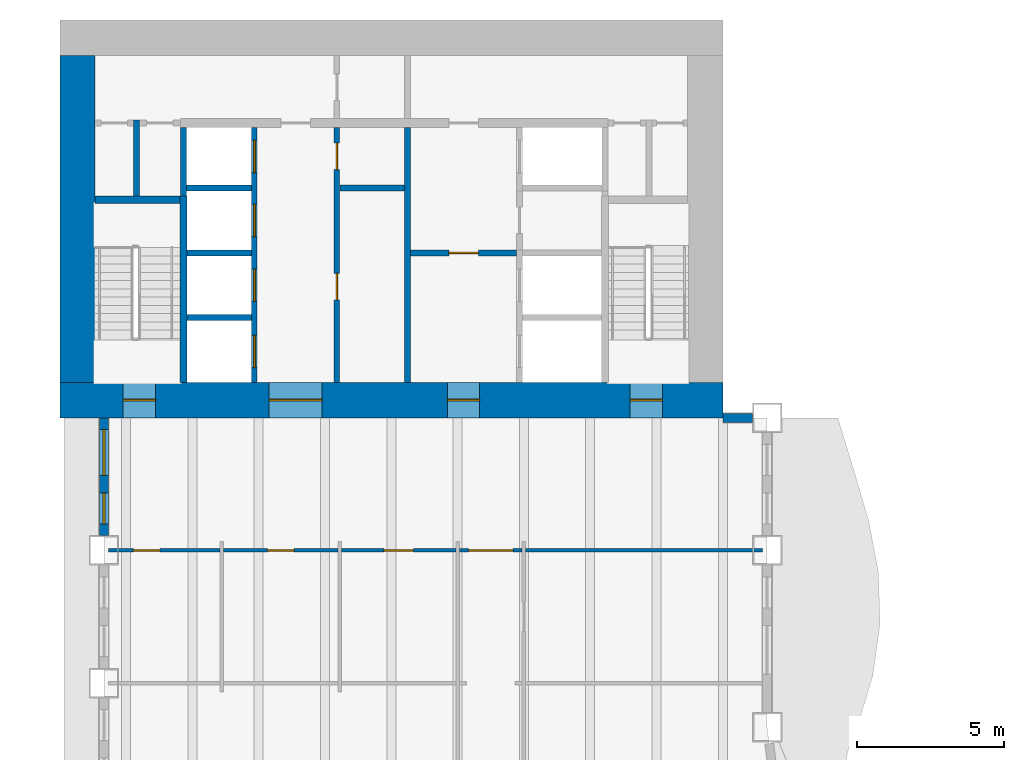
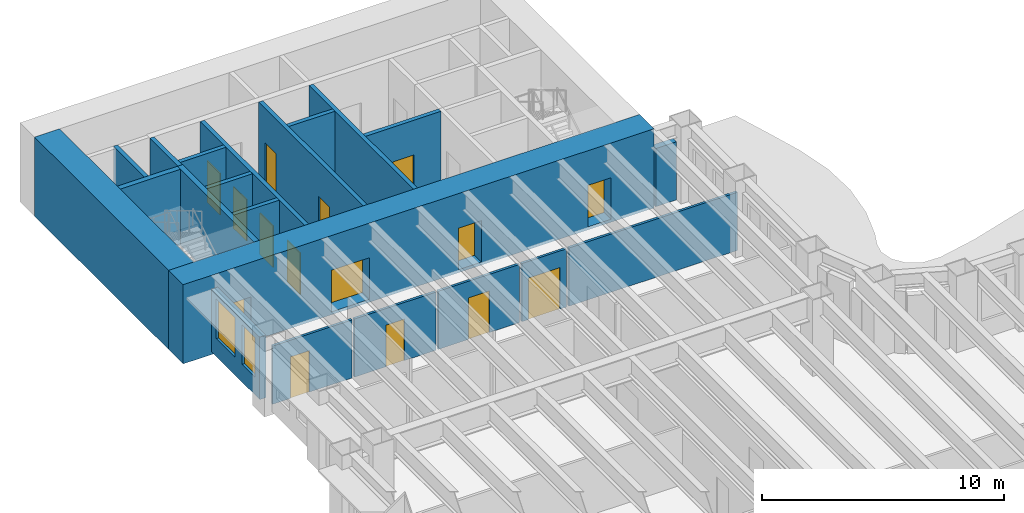
# One storey, part 8 of 16: 21 walls, 15 doors, 2 windows, 17 openings.
"""IFC4 building model written with IfcOpenShell, lengths in metres."""

from ifc_helpers import new_model, si_unit, direction, frame, frame_2d, origin, place, context, subcontext, project, spatial, rectangle, extrude, material, layer, layer_set, type_object, element, fill, save


model = new_model("IFC4")

# Units and contexts
model_context = context("Model", 3, precision=1e-05, world=origin(), true_north=direction((0.0, 1.0)))
body_context = subcontext(model_context, "Body", "Model", "MODEL_VIEW")
ifc_project = project(units=[si_unit("LENGTHUNIT", "METRE"), si_unit("AREAUNIT", "SQUARE_METRE"), si_unit("VOLUMEUNIT", "CUBIC_METRE"), si_unit("PLANEANGLEUNIT", "RADIAN"), si_unit("MASSUNIT", "GRAM", prefix="KILO")], contexts=[model_context])

# Site, building, storey
site_placement = place(None, origin())
site = spatial("IfcSite", under=ifc_project, at=site_placement, CompositionType="ELEMENT")
building_placement = place(site_placement, origin())
building = spatial("IfcBuilding", under=site, at=building_placement, Name="Sennacour Bend Tower", CompositionType="ELEMENT")
storey_placement = place(building_placement, frame((0.0, 0.0, 119.0)))
storey = spatial("IfcBuildingStorey", under=building, at=storey_placement, Name="L27", CompositionType="ELEMENT", Elevation=119.0)

# Wall, openings, doors
ifc_material_1 = material(Name="Concrete C80/95", Category="concrete")
ifc_layer_1 = layer(ifc_material_1, 1.199951171875, Name="Concrete C80/95", Category="concrete")
ifc_layer_set_1 = layer_set([ifc_layer_1], Name="Concrete C80/95")
wall_type_1 = type_object("IfcWallType", Name="Core wall 1200 C80/95", PredefinedType="SHEAR", material=ifc_layer_set_1)
wall_1_placement = place(storey_placement, frame((0.0, 36.60009765625, -0.14990234375), z_axis=(0.0, 0.0, 1.0), x_axis=(1.0, 0.0, 0.0)))
wall_1 = element("IfcWall", 1, at=wall_1_placement, inside=storey, type_object=wall_type_1, Name="Core B wall L27 S", PredefinedType="SHEAR", context=body_context, shape_type="SweptSolid", body=[
    extrude(rectangle(XDim=22.5, YDim=1.199951171875, at=frame_2d((11.25, 0.0))), origin(), (0.0, 0.0, 1.0), 4.0),
])
opening_1_placement = place(wall_1_placement, frame((7.10009765625, 0.0, 0.14990234375)))
opening_1 = element("IfcOpeningElement", 2, at=opening_1_placement, cuts=wall_1, Name="Opening CD", PredefinedType="OPENING", context=body_context, shape_type="SweptSolid", body=[
    extrude(rectangle(XDim=1.800048828125, YDim=2.10009765625, at=frame_2d((0.89990234375, 1.050048828125))), frame((0.0, 0.60986328125, 0.0), z_axis=(0.0, -1.0, 0.0), x_axis=(1.0, 0.0, 0.0)), (0.0, 0.0, 1.0), 1.219970703125),
])
opening_2_placement = place(wall_1_placement, frame((13.14990234375, 0.0, 0.14990234375)))
opening_2 = element("IfcOpeningElement", 3, at=opening_2_placement, cuts=wall_1, Name="Opening FD", PredefinedType="OPENING", context=body_context, shape_type="SweptSolid", body=[
    extrude(rectangle(XDim=1.10009765625, YDim=2.10009765625, at=frame_2d((0.550048828125, 1.050048828125))), frame((0.0, 0.60986328125, 0.0), z_axis=(0.0, -1.0, 0.0), x_axis=(1.0, 0.0, 0.0)), (0.0, 0.0, 1.0), 1.219970703125),
])
opening_3_placement = place(wall_1_placement, frame((2.14990234375, 0.0, 0.14990234375)))
opening_3 = element("IfcOpeningElement", 4, at=opening_3_placement, cuts=wall_1, Name="Opening SD", PredefinedType="OPENING", context=body_context, shape_type="SweptSolid", body=[
    extrude(rectangle(XDim=1.10009765625, YDim=2.10009765625, at=frame_2d((0.550048828125, 1.050048828125))), frame((0.0, 0.60986328125, 0.0), z_axis=(0.0, -1.0, 0.0), x_axis=(1.0, 0.0, 0.0)), (0.0, 0.0, 1.0), 1.219970703125),
])
opening_4_placement = place(wall_1_placement, frame((19.35009765625, 0.0, 0.14990234375)))
opening_4 = element("IfcOpeningElement", 5, at=opening_4_placement, cuts=wall_1, Name="Opening SD", PredefinedType="OPENING", context=body_context, shape_type="SweptSolid", body=[
    extrude(rectangle(XDim=1.10009765625, YDim=2.10009765625, at=frame_2d((0.550048828125, 1.050048828125))), frame((0.0, 0.60986328125, 0.0), z_axis=(0.0, -1.0, 0.0), x_axis=(1.0, 0.0, 0.0)), (0.0, 0.0, 1.0), 1.219970703125),
])
ifc_material_2 = material(Name="Painted steel", Category="steel")
door_type_1 = type_object("IfcDoorType", Name="DR-FFL-1100", OperationType="NOTDEFINED", PredefinedType="DOOR", material=ifc_material_2)
door_1_placement = place(opening_2_placement, origin())
door_1 = element("IfcDoor", 6, at=door_1_placement, inside=storey, type_object=door_type_1, Name="Door", OperationType="SINGLE_SWING_RIGHT", OverallHeight=2.10009765625, OverallWidth=1.10009765625, PredefinedType="DOOR", context=body_context, shape_type="SweptSolid", body=[
    extrude(rectangle(XDim=1.10009765625, YDim=2.10009765625, at=frame_2d((0.550048828125, 1.050048828125))), frame((0.0, 0.02490234375, 0.0), z_axis=(0.0, -1.0, 0.0), x_axis=(1.0, 0.0, 0.0)), (0.0, 0.0, 1.0), 0.050048828125),
])
fill(opening_2, door_1)
door_type_2 = type_object("IfcDoorType", Name="DR-LOBBY-1800", OperationType="NOTDEFINED", PredefinedType="DOOR", material=ifc_material_2)
door_2_placement = place(opening_1_placement, origin())
door_2 = element("IfcDoor", 7, at=door_2_placement, inside=storey, type_object=door_type_2, Name="Door", OperationType="DOUBLE_DOOR_SINGLE_SWING", OverallHeight=2.10009765625, OverallWidth=1.800048828125, PredefinedType="DOOR", context=body_context, shape_type="SweptSolid", body=[
    extrude(rectangle(XDim=1.800048828125, YDim=2.10009765625, at=frame_2d((0.89990234375, 1.050048828125))), frame((0.0, 0.02490234375, 0.0), z_axis=(0.0, -1.0, 0.0), x_axis=(1.0, 0.0, 0.0)), (0.0, 0.0, 1.0), 0.050048828125),
])
fill(opening_1, door_2)
door_type_3 = type_object("IfcDoorType", Name="DR-STAIR-1100", OperationType="NOTDEFINED", PredefinedType="DOOR", material=ifc_material_2)
door_3_placement = place(opening_3_placement, origin())
door_3 = element("IfcDoor", 8, at=door_3_placement, inside=storey, type_object=door_type_3, Name="Door", OperationType="SINGLE_SWING_LEFT", OverallHeight=2.10009765625, OverallWidth=1.10009765625, PredefinedType="DOOR", context=body_context, shape_type="SweptSolid", body=[
    extrude(rectangle(XDim=1.10009765625, YDim=2.10009765625, at=frame_2d((0.550048828125, 1.050048828125))), frame((0.0, 0.02490234375, 0.0), z_axis=(0.0, -1.0, 0.0), x_axis=(1.0, 0.0, 0.0)), (0.0, 0.0, 1.0), 0.050048828125),
])
fill(opening_3, door_3)
door_4_placement = place(opening_4_placement, origin())
door_4 = element("IfcDoor", 9, at=door_4_placement, inside=storey, type_object=door_type_3, Name="Door", OperationType="SINGLE_SWING_RIGHT", OverallHeight=2.10009765625, OverallWidth=1.10009765625, PredefinedType="DOOR", context=body_context, shape_type="SweptSolid", body=[
    extrude(rectangle(XDim=1.10009765625, YDim=2.10009765625, at=frame_2d((0.550048828125, 1.050048828125))), frame((0.0, 0.02490234375, 0.0), z_axis=(0.0, -1.0, 0.0), x_axis=(1.0, 0.0, 0.0)), (0.0, 0.0, 1.0), 0.050048828125),
])
fill(opening_4, door_4)

# Wall
wall_2_placement = place(storey_placement, frame((0.60009765625, 37.199951171875, -0.14990234375), z_axis=(0.0, 0.0, 1.0), x_axis=(0.0, 1.0, 0.0)))
element("IfcWall", 10, at=wall_2_placement, inside=storey, type_object=wall_type_1, Name="Core B wall L27 W", PredefinedType="SHEAR", context=body_context, shape_type="SweptSolid", body=[
    extrude(rectangle(XDim=11.10009765625, YDim=1.199951171875, at=frame_2d((5.550048828125, 0.0))), origin(), (0.0, 0.0, 1.0), 4.0),
])

# Wall, opening, door
ifc_material_3 = material(Name="Plasterboard partition on steel studs", Category="steel")
ifc_layer_2 = layer(ifc_material_3, 0.1201171875, Name="Plasterboard partition on steel studs", Category="steel")
ifc_layer_set_2 = layer_set([ifc_layer_2], Name="Plasterboard partition on steel studs")
wall_type_2 = type_object("IfcWallType", Name="Partition 120", PredefinedType="PARTITIONING", material=ifc_layer_set_2)
wall_3_placement = place(storey_placement, frame((1.64990234375, 31.5, 0.0), z_axis=(0.0, 0.0, 1.0), x_axis=(1.0, 0.0, 0.0)))
wall_3 = element("IfcWall", 11, at=wall_3_placement, inside=storey, type_object=wall_type_2, Name="P-L27-W075aa", PredefinedType="PARTITIONING", context=body_context, shape_type="SweptSolid", body=[
    extrude(rectangle(XDim=3.7900390625, YDim=0.1201171875, at=frame_2d((1.89501953125, 0.0))), origin(), (0.0, 0.0, 1.0), 2.93798828125),
])
opening_5_placement = place(wall_3_placement, frame((0.85009765625, 0.0, 0.0)))
opening_5 = element("IfcOpeningElement", 12, at=opening_5_placement, cuts=wall_3, Name="Opening WD", PredefinedType="OPENING", context=body_context, shape_type="SweptSolid", body=[
    extrude(rectangle(XDim=0.89990234375, YDim=2.10009765625, at=frame_2d((0.449951171875, 1.050048828125))), frame((0.0, 0.070068359375, 0.0), z_axis=(0.0, -1.0, 0.0), x_axis=(1.0, 0.0, 0.0)), (0.0, 0.0, 1.0), 0.14013671875),
])
ifc_material_4 = material(Name="Timber", Category="wood")
door_type_4 = type_object("IfcDoorType", Name="DR-WC-900", OperationType="NOTDEFINED", PredefinedType="DOOR", material=ifc_material_4)
door_5_placement = place(opening_5_placement, origin())
door_5 = element("IfcDoor", 13, at=door_5_placement, inside=storey, type_object=door_type_4, Name="Door", OperationType="SINGLE_SWING_LEFT", OverallHeight=2.10009765625, OverallWidth=0.89990234375, PredefinedType="DOOR", context=body_context, shape_type="SweptSolid", body=[
    extrude(rectangle(XDim=0.89990234375, YDim=2.10009765625, at=frame_2d((0.449951171875, 1.050048828125))), frame((0.0, 0.02490234375, 0.0), z_axis=(0.0, -1.0, 0.0), x_axis=(1.0, 0.0, 0.0)), (0.0, 0.0, 1.0), 0.050048828125),
])
fill(opening_5, door_5)

wall_4_placement = place(storey_placement, frame((5.56005859375, 31.5, 0.0), z_axis=(0.0, 0.0, 1.0), x_axis=(1.0, 0.0, 0.0)))
wall_4 = element("IfcWall", 14, at=wall_4_placement, inside=storey, type_object=wall_type_2, Name="P-L27-W075ab", PredefinedType="PARTITIONING", context=body_context, shape_type="SweptSolid", body=[
    extrude(rectangle(XDim=3.8798828125, YDim=0.1201171875, at=frame_2d((1.93994140625, 0.0))), origin(), (0.0, 0.0, 1.0), 2.93798828125),
])
opening_6_placement = place(wall_4_placement, frame((1.489990234375, 0.0, 0.0)))
opening_6 = element("IfcOpeningElement", 15, at=opening_6_placement, cuts=wall_4, Name="Opening WD", PredefinedType="OPENING", context=body_context, shape_type="SweptSolid", body=[
    extrude(rectangle(XDim=0.89990234375, YDim=2.10009765625, at=frame_2d((0.449951171875, 1.050048828125))), frame((0.0, 0.070068359375, 0.0), z_axis=(0.0, -1.0, 0.0), x_axis=(1.0, 0.0, 0.0)), (0.0, 0.0, 1.0), 0.14013671875),
])
door_6_placement = place(opening_6_placement, origin())
door_6 = element("IfcDoor", 16, at=door_6_placement, inside=storey, type_object=door_type_4, Name="Door", OperationType="SINGLE_SWING_LEFT", OverallHeight=2.10009765625, OverallWidth=0.89990234375, PredefinedType="DOOR", context=body_context, shape_type="SweptSolid", body=[
    extrude(rectangle(XDim=0.89990234375, YDim=2.10009765625, at=frame_2d((0.449951171875, 1.050048828125))), frame((0.0, 0.02490234375, 0.0), z_axis=(0.0, -1.0, 0.0), x_axis=(1.0, 0.0, 0.0)), (0.0, 0.0, 1.0), 0.050048828125),
])
fill(opening_6, door_6)

wall_5_placement = place(storey_placement, frame((9.56005859375, 31.5, 0.0), z_axis=(0.0, 0.0, 1.0), x_axis=(1.0, 0.0, 0.0)))
wall_5 = element("IfcWall", 17, at=wall_5_placement, inside=storey, type_object=wall_type_2, Name="P-L27-W075ac", PredefinedType="PARTITIONING", context=body_context, shape_type="SweptSolid", body=[
    extrude(rectangle(XDim=3.8798828125, YDim=0.1201171875, at=frame_2d((1.93994140625, 0.0))), origin(), (0.0, 0.0, 1.0), 2.93798828125),
])
opening_7_placement = place(wall_5_placement, frame((1.43994140625, 0.0, 0.0)))
opening_7 = element("IfcOpeningElement", 18, at=opening_7_placement, cuts=wall_5, Name="Opening AD", PredefinedType="OPENING", context=body_context, shape_type="SweptSolid", body=[
    extrude(rectangle(XDim=1.0, YDim=2.10009765625, at=frame_2d((0.5, 1.050048828125))), frame((0.0, 0.070068359375, 0.0), z_axis=(0.0, -1.0, 0.0), x_axis=(1.0, 0.0, 0.0)), (0.0, 0.0, 1.0), 0.14013671875),
])
door_type_5 = type_object("IfcDoorType", Name="DR-ACC-WC-1000", OperationType="NOTDEFINED", PredefinedType="DOOR", material=ifc_material_4)
door_7_placement = place(opening_7_placement, origin())
door_7 = element("IfcDoor", 19, at=door_7_placement, inside=storey, type_object=door_type_5, Name="Door", OperationType="SINGLE_SWING_LEFT", OverallHeight=2.10009765625, OverallWidth=1.0, PredefinedType="DOOR", context=body_context, shape_type="SweptSolid", body=[
    extrude(rectangle(XDim=1.0, YDim=2.10009765625, at=frame_2d((0.5, 1.050048828125))), frame((0.0, 0.02490234375, 0.0), z_axis=(0.0, -1.0, 0.0), x_axis=(1.0, 0.0, 0.0)), (0.0, 0.0, 1.0), 0.050048828125),
])
fill(opening_7, door_7)

# Wall
wall_6_placement = place(storey_placement, frame((15.81005859375, 31.5, 0.0), z_axis=(0.0, 0.0, 1.0), x_axis=(1.0, 0.0, 0.0)))
element("IfcWall", 20, at=wall_6_placement, inside=storey, type_object=wall_type_2, Name="P-L27-W075ae", PredefinedType="PARTITIONING", context=body_context, shape_type="SweptSolid", body=[
    extrude(rectangle(XDim=8.0400390625, YDim=0.1201171875, at=frame_2d((4.02001953125, 0.0))), origin(), (0.0, 0.0, 1.0), 2.93798828125),
])

# Wall, opening, door
ifc_layer_3 = layer(ifc_material_3, 0.1201171875, Name="Plasterboard partition on steel studs", Category="steel")
ifc_layer_set_3 = layer_set([ifc_layer_3], Name="Plasterboard partition on steel studs")
wall_type_3 = type_object("IfcWallType", Name="Partition 120 EI 30", PredefinedType="PARTITIONING", material=ifc_layer_set_3)
wall_7_placement = place(storey_placement, frame((13.56005859375, 31.5, 0.0), z_axis=(0.0, 0.0, 1.0), x_axis=(1.0, 0.0, 0.0)))
wall_7 = element("IfcWall", 21, at=wall_7_placement, inside=storey, type_object=wall_type_3, Name="P-L27-W075ad", PredefinedType="PARTITIONING", context=body_context, shape_type="SweptSolid", body=[
    extrude(rectangle(XDim=2.1298828125, YDim=0.1201171875, at=frame_2d((1.06494140625, 0.0))), origin(), (0.0, 0.0, 1.0), 2.93798828125),
])
opening_8_placement = place(wall_7_placement, frame((0.31494140625, 0.0, 0.0)))
opening_8 = element("IfcOpeningElement", 22, at=opening_8_placement, cuts=wall_7, Name="Opening KD", PredefinedType="OPENING", context=body_context, shape_type="SweptSolid", body=[
    extrude(rectangle(XDim=1.5, YDim=2.10009765625, at=frame_2d((0.75, 1.050048828125))), frame((0.0, 0.070068359375, 0.0), z_axis=(0.0, -1.0, 0.0), x_axis=(1.0, 0.0, 0.0)), (0.0, 0.0, 1.0), 0.14013671875),
])
door_type_6 = type_object("IfcDoorType", Name="DR-CORRIDOR-1500", OperationType="NOTDEFINED", PredefinedType="DOOR", material=ifc_material_2)
door_8_placement = place(opening_8_placement, origin())
door_8 = element("IfcDoor", 23, at=door_8_placement, inside=storey, type_object=door_type_6, Name="Door", OperationType="SINGLE_SWING_LEFT", OverallHeight=2.10009765625, OverallWidth=1.5, PredefinedType="DOOR", context=body_context, shape_type="SweptSolid", body=[
    extrude(rectangle(XDim=1.5, YDim=2.10009765625, at=frame_2d((0.75, 1.050048828125))), frame((0.0, 0.02490234375, 0.0), z_axis=(0.0, -1.0, 0.0), x_axis=(1.0, 0.0, 0.0)), (0.0, 0.0, 1.0), 0.050048828125),
])
fill(opening_8, door_8)

# Wall
ifc_material_5 = material(Name="Fire-rated plasterboard partition on steel studs", Category="steel")
ifc_layer_4 = layer(ifc_material_5, 0.199951171875, Name="Fire-rated plasterboard partition on steel studs", Category="steel")
ifc_layer_set_4 = layer_set([ifc_layer_4], Name="Fire-rated plasterboard partition on steel studs")
wall_type_4 = type_object("IfcWallType", Name="Rated partition 200", PredefinedType="PARTITIONING", material=ifc_layer_set_4)
wall_8_placement = place(storey_placement, frame((2.60009765625, 43.52490234375, 0.0), z_axis=(0.0, 0.0, 1.0), x_axis=(0.0, 1.0, 0.0)))
element("IfcWall", 24, at=wall_8_placement, inside=storey, type_object=wall_type_4, Name="P-L27-W004", PredefinedType="PARTITIONING", context=body_context, shape_type="SweptSolid", body=[
    extrude(rectangle(XDim=2.5751953125, YDim=0.199951171875, at=frame_2d((1.28759765625, 0.0))), origin(), (0.0, 0.0, 1.0), 3.85009765625),
])

# Wall, openings, doors
wall_9_placement = place(storey_placement, frame((9.39990234375, 37.199951171875, 0.0), z_axis=(0.0, 0.0, 1.0), x_axis=(0.0, 1.0, 0.0)))
wall_9 = element("IfcWall", 25, at=wall_9_placement, inside=storey, type_object=wall_type_4, Name="P-L27-W012a", PredefinedType="PARTITIONING", context=body_context, shape_type="SweptSolid", body=[
    extrude(rectangle(XDim=8.650146484375, YDim=0.199951171875, at=frame_2d((4.3251953125, 0.0))), origin(), (0.0, 0.0, 1.0), 3.85009765625),
])
opening_9_placement = place(wall_9_placement, frame((2.800048828125, 0.0, 0.0)))
opening_9 = element("IfcOpeningElement", 26, at=opening_9_placement, cuts=wall_9, Name="Opening SV", PredefinedType="OPENING", context=body_context, shape_type="SweptSolid", body=[
    extrude(rectangle(XDim=0.89990234375, YDim=2.10009765625, at=frame_2d((0.449951171875, 1.050048828125))), frame((0.0, 0.10986328125, 0.0), z_axis=(0.0, -1.0, 0.0), x_axis=(1.0, 0.0, 0.0)), (0.0, 0.0, 1.0), 0.219970703125),
])
opening_10_placement = place(wall_9_placement, frame((7.22509765625, 0.0, 0.0)))
opening_10 = element("IfcOpeningElement", 27, at=opening_10_placement, cuts=wall_9, Name="Opening SV", PredefinedType="OPENING", context=body_context, shape_type="SweptSolid", body=[
    extrude(rectangle(XDim=0.89990234375, YDim=2.10009765625, at=frame_2d((0.449951171875, 1.050048828125))), frame((0.0, 0.10986328125, 0.0), z_axis=(0.0, -1.0, 0.0), x_axis=(1.0, 0.0, 0.0)), (0.0, 0.0, 1.0), 0.219970703125),
])
door_type_7 = type_object("IfcDoorType", Name="DR-SERVICE-900", OperationType="NOTDEFINED", PredefinedType="DOOR", material=ifc_material_2)
door_9_placement = place(opening_9_placement, origin())
door_9 = element("IfcDoor", 28, at=door_9_placement, inside=storey, type_object=door_type_7, Name="Door", OperationType="SINGLE_SWING_LEFT", OverallHeight=2.10009765625, OverallWidth=0.89990234375, PredefinedType="DOOR", context=body_context, shape_type="SweptSolid", body=[
    extrude(rectangle(XDim=0.89990234375, YDim=2.10009765625, at=frame_2d((0.449951171875, 1.050048828125))), frame((0.0, 0.02490234375, 0.0), z_axis=(0.0, -1.0, 0.0), x_axis=(1.0, 0.0, 0.0)), (0.0, 0.0, 1.0), 0.050048828125),
])
fill(opening_9, door_9)
door_10_placement = place(opening_10_placement, origin())
door_10 = element("IfcDoor", 29, at=door_10_placement, inside=storey, type_object=door_type_7, Name="Door", OperationType="SINGLE_SWING_RIGHT", OverallHeight=2.10009765625, OverallWidth=0.89990234375, PredefinedType="DOOR", context=body_context, shape_type="SweptSolid", body=[
    extrude(rectangle(XDim=0.89990234375, YDim=2.10009765625, at=frame_2d((0.449951171875, 1.050048828125))), frame((0.0, 0.02490234375, 0.0), z_axis=(0.0, -1.0, 0.0), x_axis=(1.0, 0.0, 0.0)), (0.0, 0.0, 1.0), 0.050048828125),
])
fill(opening_10, door_10)

# Walls
wall_10_placement = place(storey_placement, frame((11.800048828125, 37.199951171875, 0.0), z_axis=(0.0, 0.0, 1.0), x_axis=(0.0, 1.0, 0.0)))
element("IfcWall", 30, at=wall_10_placement, inside=storey, type_object=wall_type_4, Name="P-L27-W014a", PredefinedType="PARTITIONING", context=body_context, shape_type="SweptSolid", body=[
    extrude(rectangle(XDim=8.650146484375, YDim=0.199951171875, at=frame_2d((4.3251953125, 0.0))), origin(), (0.0, 0.0, 1.0), 3.85009765625),
])
wall_11_placement = place(storey_placement, frame((9.5, 43.800048828125, 0.0), z_axis=(0.0, 0.0, 1.0), x_axis=(1.0, 0.0, 0.0)))
element("IfcWall", 31, at=wall_11_placement, inside=storey, type_object=wall_type_4, Name="P-L27-W085", PredefinedType="PARTITIONING", context=body_context, shape_type="SweptSolid", body=[
    extrude(rectangle(XDim=2.199951171875, YDim=0.199951171875, at=frame_2d((1.10009765625, 0.0))), origin(), (0.0, 0.0, 1.0), 3.85009765625),
])

# Wall, opening, door
ifc_layer_5 = layer(ifc_material_5, 0.199951171875, Name="Fire-rated plasterboard partition on steel studs", Category="steel")
ifc_layer_set_5 = layer_set([ifc_layer_5], Name="Fire-rated plasterboard partition on steel studs")
wall_type_5 = type_object("IfcWallType", Name="Rated partition 200 EI 90", PredefinedType="PARTITIONING", material=ifc_layer_set_5)
wall_12_placement = place(storey_placement, frame((11.89990234375, 41.60009765625, 0.0), z_axis=(0.0, 0.0, 1.0), x_axis=(1.0, 0.0, 0.0)))
wall_12 = element("IfcWall", 32, at=wall_12_placement, inside=storey, type_object=wall_type_5, Name="P-L27-W080", PredefinedType="PARTITIONING", context=body_context, shape_type="SweptSolid", body=[
    extrude(rectangle(XDim=3.60009765625, YDim=0.199951171875, at=frame_2d((1.800048828125, 0.0))), origin(), (0.0, 0.0, 1.0), 3.85009765625),
])
opening_11_placement = place(wall_12_placement, frame((1.300048828125, 0.0, 0.0)))
opening_11 = element("IfcOpeningElement", 33, at=opening_11_placement, cuts=wall_12, Name="Opening FD2", PredefinedType="OPENING", context=body_context, shape_type="SweptSolid", body=[
    extrude(rectangle(XDim=1.0, YDim=2.10009765625, at=frame_2d((0.5, 1.050048828125))), frame((0.0, 0.10986328125, 0.0), z_axis=(0.0, -1.0, 0.0), x_axis=(1.0, 0.0, 0.0)), (0.0, 0.0, 1.0), 0.219970703125),
])
door_type_8 = type_object("IfcDoorType", Name="DR-FFL-1000", OperationType="NOTDEFINED", PredefinedType="DOOR", material=ifc_material_2)
door_11_placement = place(opening_11_placement, origin())
door_11 = element("IfcDoor", 34, at=door_11_placement, inside=storey, type_object=door_type_8, Name="Door", OperationType="SINGLE_SWING_LEFT", OverallHeight=2.10009765625, OverallWidth=1.0, PredefinedType="DOOR", context=body_context, shape_type="SweptSolid", body=[
    extrude(rectangle(XDim=1.0, YDim=2.10009765625, at=frame_2d((0.5, 1.050048828125))), frame((0.0, 0.02490234375, 0.0), z_axis=(0.0, -1.0, 0.0), x_axis=(1.0, 0.0, 0.0)), (0.0, 0.0, 1.0), 0.050048828125),
])
fill(opening_11, door_11)

# Wall
ifc_material_6 = material(Name="Warm limestone cladding", Category="masonry")
ifc_layer_6 = layer(ifc_material_6, 0.050048828125, Name="Warm limestone cladding", Category="masonry")
ifc_material_7 = material(Name="Precast concrete C40/50", Category="concrete")
ifc_layer_7 = layer(ifc_material_7, 0.25, Name="Precast concrete C40/50", Category="concrete")
ifc_layer_set_6 = layer_set([ifc_layer_6, ifc_layer_7], Name="Precast concrete C40/50 with limestone cladding")
wall_type_6 = type_object("IfcWallType", Name="STONE-CLAD PRECAST SPANDREL 300", PredefinedType="STANDARD", material=ifc_layer_set_6)
wall_13_placement = place(storey_placement, frame((23.5, 36.0, 0.0), z_axis=(0.0, 0.0, 1.0), x_axis=(-1.0, 0.0, 0.0)))
element("IfcWall", 35, at=wall_13_placement, inside=storey, type_object=wall_type_6, Name="Stone spandrel and pier wall L27 14.00", PredefinedType="STANDARD", context=body_context, shape_type="SweptSolid", body=[
    extrude(rectangle(XDim=1.0, YDim=0.300048828125, at=frame_2d((0.5, 0.0))), origin(), (0.0, 0.0, 1.0), 2.93798828125),
])

# Wall, openings, windows
wall_14_placement = place(storey_placement, frame((1.5, 36.0, 0.0), z_axis=(0.0, 0.0, 1.0), x_axis=(0.0, -1.0, 0.0)))
wall_14 = element("IfcWall", 36, at=wall_14_placement, inside=storey, type_object=wall_type_6, Name="Stone spandrel and pier wall L27 19.00", PredefinedType="STANDARD", context=body_context, shape_type="SweptSolid", body=[
    extrude(rectangle(XDim=4.0, YDim=0.300048828125, at=frame_2d((2.0, 0.0))), origin(), (0.0, 0.0, 1.0), 3.154052734375),
])
opening_12_placement = place(wall_14_placement, frame((0.39990234375, 0.0, 0.89990234375)))
opening_12 = element("IfcOpeningElement", 37, at=opening_12_placement, cuts=wall_14, Name="Opening W9", PredefinedType="OPENING", context=body_context, shape_type="SweptSolid", body=[
    extrude(rectangle(XDim=1.550048828125, YDim=2.0, at=frame_2d((0.77490234375, 1.0))), frame((0.0, 0.16015625, 0.0), z_axis=(0.0, -1.0, 0.0), x_axis=(1.0, 0.0, 0.0)), (0.0, 0.0, 1.0), 0.320068359375),
])
opening_13_placement = place(wall_14_placement, frame((2.550048828125, 0.0, 0.89990234375)))
opening_13 = element("IfcOpeningElement", 38, at=opening_13_placement, cuts=wall_14, Name="Opening W13", PredefinedType="OPENING", context=body_context, shape_type="SweptSolid", body=[
    extrude(rectangle(XDim=1.050048828125, YDim=2.0, at=frame_2d((0.52490234375, 1.0))), frame((0.0, 0.16015625, 0.0), z_axis=(0.0, -1.0, 0.0), x_axis=(1.0, 0.0, 0.0)), (0.0, 0.0, 1.0), 0.320068359375),
])
ifc_material_8 = material(Name="Clear low-emissivity glass", Category="glass")
window_type_1 = type_object("IfcWindowType", Name="WIN-RIBBON-1050x2000", PartitioningType="SINGLE_PANEL", PredefinedType="WINDOW", material=ifc_material_8)
window_1_placement = place(opening_13_placement, origin())
window_1 = element("IfcWindow", 39, at=window_1_placement, inside=storey, type_object=window_type_1, Name="Ribbon window L27 19.00.1", OverallHeight=2.0, OverallWidth=1.050048828125, PartitioningType="SINGLE_PANEL", PredefinedType="WINDOW", context=body_context, shape_type="SweptSolid", body=[
    extrude(rectangle(XDim=1.050048828125, YDim=2.0, at=frame_2d((0.52490234375, 1.0))), frame((0.0, 0.030029296875, 0.0), z_axis=(0.0, -1.0, 0.0), x_axis=(1.0, 0.0, 0.0)), (0.0, 0.0, 1.0), 0.06005859375),
])
fill(opening_13, window_1)
window_type_2 = type_object("IfcWindowType", Name="WIN-RIBBON-1550x2000", PartitioningType="SINGLE_PANEL", PredefinedType="WINDOW", material=ifc_material_8)
window_2_placement = place(opening_12_placement, origin())
window_2 = element("IfcWindow", 40, at=window_2_placement, inside=storey, type_object=window_type_2, Name="Ribbon window L27 19.00.0", OverallHeight=2.0, OverallWidth=1.550048828125, PartitioningType="SINGLE_PANEL", PredefinedType="WINDOW", context=body_context, shape_type="SweptSolid", body=[
    extrude(rectangle(XDim=1.550048828125, YDim=2.0, at=frame_2d((0.77490234375, 1.0))), frame((0.0, 0.030029296875, 0.0), z_axis=(0.0, -1.0, 0.0), x_axis=(1.0, 0.0, 0.0)), (0.0, 0.0, 1.0), 0.06005859375),
])
fill(opening_12, window_2)

# Wall
ifc_material_9 = material(Name="Concrete C50/60", Category="concrete")
ifc_layer_8 = layer(ifc_material_9, 0.199951171875, Name="Concrete C50/60", Category="concrete")
ifc_layer_set_7 = layer_set([ifc_layer_8], Name="Concrete C50/60")
wall_type_7 = type_object("IfcWallType", Name="Shaft wall 200", PredefinedType="SOLIDWALL", material=ifc_layer_set_7)
wall_15_placement = place(storey_placement, frame((4.199951171875, 43.52490234375, 0.0), z_axis=(0.0, 0.0, 1.0), x_axis=(0.0, 1.0, 0.0)))
element("IfcWall", 41, at=wall_15_placement, inside=storey, type_object=wall_type_7, Name="P-L27-W006", PredefinedType="SOLIDWALL", context=body_context, shape_type="SweptSolid", body=[
    extrude(rectangle(XDim=2.3251953125, YDim=0.199951171875, at=frame_2d((1.16259765625, 0.0))), origin(), (0.0, 0.0, 1.0), 3.85009765625),
])

# Wall, openings, doors
wall_16_placement = place(storey_placement, frame((6.60009765625, 37.199951171875, 0.0), z_axis=(0.0, 0.0, 1.0), x_axis=(0.0, 1.0, 0.0)))
wall_16 = element("IfcWall", 42, at=wall_16_placement, inside=storey, type_object=wall_type_7, Name="P-L27-W008", PredefinedType="SOLIDWALL", context=body_context, shape_type="SweptSolid", body=[
    extrude(rectangle(XDim=8.650146484375, YDim=0.199951171875, at=frame_2d((4.3251953125, 0.0))), origin(), (0.0, 0.0, 1.0), 3.85009765625),
])
opening_14_placement = place(wall_16_placement, frame((0.5, 0.0, 0.011962890625)))
opening_14 = element("IfcOpeningElement", 43, at=opening_14_placement, cuts=wall_16, Name="Opening LD", PredefinedType="OPENING", context=body_context, shape_type="SweptSolid", body=[
    extrude(rectangle(XDim=1.10009765625, YDim=2.10009765625, at=frame_2d((0.550048828125, 1.050048828125))), frame((0.0, 0.10986328125, 0.0), z_axis=(0.0, -1.0, 0.0), x_axis=(1.0, 0.0, 0.0)), (0.0, 0.0, 1.0), 0.219970703125),
])
opening_15_placement = place(wall_16_placement, frame((2.75, 0.0, 0.011962890625)))
opening_15 = element("IfcOpeningElement", 44, at=opening_15_placement, cuts=wall_16, Name="Opening LD", PredefinedType="OPENING", context=body_context, shape_type="SweptSolid", body=[
    extrude(rectangle(XDim=1.10009765625, YDim=2.10009765625, at=frame_2d((0.550048828125, 1.050048828125))), frame((0.0, 0.10986328125, 0.0), z_axis=(0.0, -1.0, 0.0), x_axis=(1.0, 0.0, 0.0)), (0.0, 0.0, 1.0), 0.219970703125),
])
opening_16_placement = place(wall_16_placement, frame((4.949951171875, 0.0, 0.011962890625)))
opening_16 = element("IfcOpeningElement", 45, at=opening_16_placement, cuts=wall_16, Name="Opening LD", PredefinedType="OPENING", context=body_context, shape_type="SweptSolid", body=[
    extrude(rectangle(XDim=1.10009765625, YDim=2.10009765625, at=frame_2d((0.550048828125, 1.050048828125))), frame((0.0, 0.10986328125, 0.0), z_axis=(0.0, -1.0, 0.0), x_axis=(1.0, 0.0, 0.0)), (0.0, 0.0, 1.0), 0.219970703125),
])
opening_17_placement = place(wall_16_placement, frame((7.125, 0.0, 0.011962890625)))
opening_17 = element("IfcOpeningElement", 46, at=opening_17_placement, cuts=wall_16, Name="Opening LD", PredefinedType="OPENING", context=body_context, shape_type="SweptSolid", body=[
    extrude(rectangle(XDim=1.10009765625, YDim=2.10009765625, at=frame_2d((0.550048828125, 1.050048828125))), frame((0.0, 0.10986328125, 0.0), z_axis=(0.0, -1.0, 0.0), x_axis=(1.0, 0.0, 0.0)), (0.0, 0.0, 1.0), 0.219970703125),
])
ifc_material_10 = material(Name="Stainless steel", Category="steel")
door_type_9 = type_object("IfcDoorType", Name="DR-LANDING-1100", OperationType="NOTDEFINED", PredefinedType="DOOR", material=ifc_material_10)
door_12_placement = place(opening_14_placement, origin())
door_12 = element("IfcDoor", 47, at=door_12_placement, inside=storey, type_object=door_type_9, Name="Lift landing door LB1", OperationType="SLIDING_TO_LEFT", OverallHeight=2.10009765625, OverallWidth=1.10009765625, PredefinedType="DOOR", context=body_context, shape_type="SweptSolid", body=[
    extrude(rectangle(XDim=1.10009765625, YDim=2.10009765625, at=frame_2d((0.550048828125, 1.050048828125))), frame((0.0, 0.02490234375, 0.0), z_axis=(0.0, -1.0, 0.0), x_axis=(1.0, 0.0, 0.0)), (0.0, 0.0, 1.0), 0.050048828125),
])
fill(opening_14, door_12)
door_13_placement = place(opening_15_placement, origin())
door_13 = element("IfcDoor", 48, at=door_13_placement, inside=storey, type_object=door_type_9, Name="Lift landing door LB2", OperationType="SLIDING_TO_RIGHT", OverallHeight=2.10009765625, OverallWidth=1.10009765625, PredefinedType="DOOR", context=body_context, shape_type="SweptSolid", body=[
    extrude(rectangle(XDim=1.10009765625, YDim=2.10009765625, at=frame_2d((0.550048828125, 1.050048828125))), frame((0.0, 0.02490234375, 0.0), z_axis=(0.0, -1.0, 0.0), x_axis=(1.0, 0.0, 0.0)), (0.0, 0.0, 1.0), 0.050048828125),
])
fill(opening_15, door_13)
door_14_placement = place(opening_16_placement, origin())
door_14 = element("IfcDoor", 49, at=door_14_placement, inside=storey, type_object=door_type_9, Name="Lift landing door LB3", OperationType="SLIDING_TO_LEFT", OverallHeight=2.10009765625, OverallWidth=1.10009765625, PredefinedType="DOOR", context=body_context, shape_type="SweptSolid", body=[
    extrude(rectangle(XDim=1.10009765625, YDim=2.10009765625, at=frame_2d((0.550048828125, 1.050048828125))), frame((0.0, 0.02490234375, 0.0), z_axis=(0.0, -1.0, 0.0), x_axis=(1.0, 0.0, 0.0)), (0.0, 0.0, 1.0), 0.050048828125),
])
fill(opening_16, door_14)
door_15_placement = place(opening_17_placement, origin())
door_15 = element("IfcDoor", 50, at=door_15_placement, inside=storey, type_object=door_type_9, Name="Lift landing door LB4", OperationType="SLIDING_TO_RIGHT", OverallHeight=2.10009765625, OverallWidth=1.10009765625, PredefinedType="DOOR", context=body_context, shape_type="SweptSolid", body=[
    extrude(rectangle(XDim=1.10009765625, YDim=2.10009765625, at=frame_2d((0.550048828125, 1.050048828125))), frame((0.0, 0.02490234375, 0.0), z_axis=(0.0, -1.0, 0.0), x_axis=(1.0, 0.0, 0.0)), (0.0, 0.0, 1.0), 0.050048828125),
])
fill(opening_17, door_15)

# Walls
for number, where, z_axis, x_axis, name in (
    (51, (4.324951171875, 39.39990234375, 0.0), (0.0, 0.0, 1.0), (1.0, 0.0, 0.0), "P-L27-W077"),
    (52, (4.324951171875, 41.60009765625, 0.0), (0.0, 0.0, 1.0), (1.0, 0.0, 0.0), "P-L27-W079"),
):
    element("IfcWall", number, at=place(storey_placement, frame(where, z_axis=z_axis, x_axis=x_axis)), inside=storey, type_object=wall_type_7, Name=name, PredefinedType="SOLIDWALL", context=body_context, shape_type="SweptSolid", body=[
        extrude(rectangle(XDim=2.175048828125, YDim=0.199951171875, at=frame_2d((1.08740234375, 0.0))), origin(), (0.0, 0.0, 1.0), 3.85009765625),
    ])
wall_17_placement = place(storey_placement, frame((4.300048828125, 43.800048828125, 0.0), z_axis=(0.0, 0.0, 1.0), x_axis=(1.0, 0.0, 0.0)))
element("IfcWall", 53, at=wall_17_placement, inside=storey, type_object=wall_type_7, Name="P-L27-W084", PredefinedType="SOLIDWALL", context=body_context, shape_type="SweptSolid", body=[
    extrude(rectangle(XDim=2.199951171875, YDim=0.199951171875, at=frame_2d((1.10009765625, 0.0))), origin(), (0.0, 0.0, 1.0), 3.85009765625),
])
ifc_material_11 = material(Name="Concrete C60/75", Category="concrete")
ifc_layer_9 = layer(ifc_material_11, 0.25, Name="Concrete C60/75", Category="concrete")
ifc_layer_set_8 = layer_set([ifc_layer_9], Name="Concrete C60/75")
wall_type_8 = type_object("IfcWallType", Name="Stair wall 250", PredefinedType="SHEAR", material=ifc_layer_set_8)
wall_18_placement = place(storey_placement, frame((4.199951171875, 37.199951171875, 0.0), z_axis=(0.0, 0.0, 1.0), x_axis=(0.0, 1.0, 0.0)))
element("IfcWall", 54, at=wall_18_placement, inside=storey, type_object=wall_type_8, Name="P-L27-W005", PredefinedType="SHEAR", context=body_context, shape_type="SweptSolid", body=[
    extrude(rectangle(XDim=6.324951171875, YDim=0.25, at=frame_2d((3.16259765625, 0.0))), origin(), (0.0, 0.0, 1.0), 3.85009765625),
])
wall_19_placement = place(storey_placement, frame((1.199951171875, 43.39990234375, 0.0), z_axis=(0.0, 0.0, 1.0), x_axis=(1.0, 0.0, 0.0)))
element("IfcWall", 55, at=wall_19_placement, inside=storey, type_object=wall_type_8, Name="P-L27-W082", PredefinedType="SHEAR", context=body_context, shape_type="SweptSolid", body=[
    extrude(rectangle(XDim=2.875, YDim=0.25, at=frame_2d((1.4375, 0.0))), origin(), (0.0, 0.0, 1.0), 3.85009765625),
])

save(model, "model.ifc")
